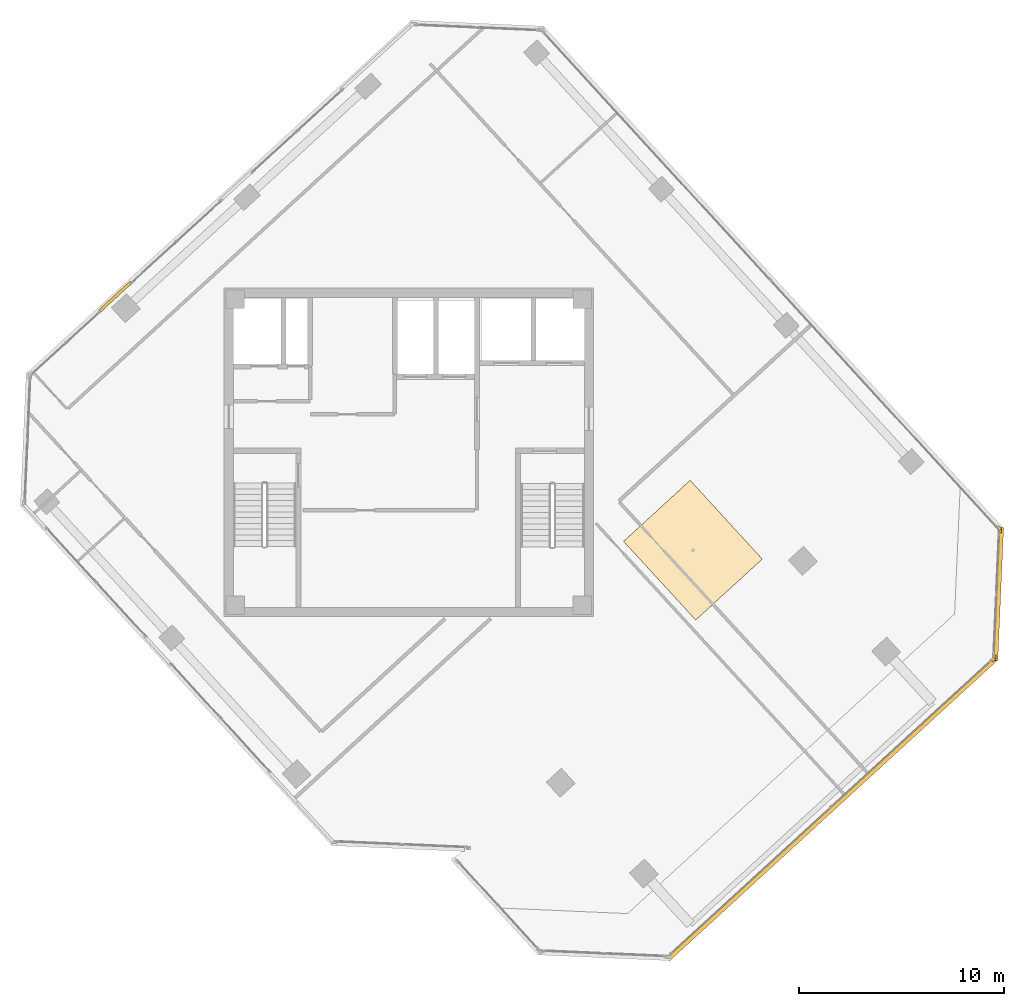
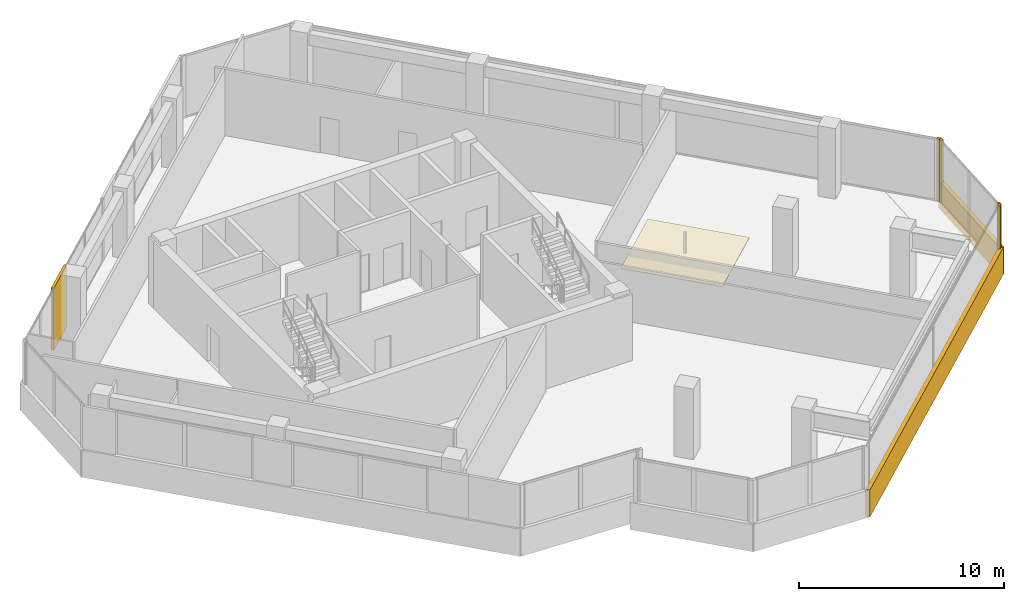
# One storey, part 17 of 18: 8 coverings.
"""IFC4 building model written with IfcOpenShell, lengths in metres."""

from ifc_helpers import new_model, si_unit, direction, frame, origin, origin_2d, place, context, subcontext, project, spatial, polyline, rectangle, outline, extrude, source, transform, mapped, material, layer, layer_set, type_object, element, save


model = new_model("IFC4")

# Units and contexts
model_context = context("Model", 3, precision=1e-05, world=origin(), true_north=direction((0.0, 1.0)))
body_context = subcontext(model_context, "Body", "Model", "MODEL_VIEW")
ifc_project = project(units=[si_unit("LENGTHUNIT", "METRE"), si_unit("AREAUNIT", "SQUARE_METRE"), si_unit("VOLUMEUNIT", "CUBIC_METRE"), si_unit("PLANEANGLEUNIT", "RADIAN"), si_unit("MASSUNIT", "GRAM", prefix="KILO")], contexts=[model_context])

# Site, building, storey
site_placement = place(None, origin())
site = spatial("IfcSite", under=ifc_project, at=site_placement, CompositionType="ELEMENT")
building_placement = place(site_placement, origin())
building = spatial("IfcBuilding", under=site, at=building_placement, Name="Torre Montelarca", CompositionType="ELEMENT")
storey_placement = place(building_placement, frame((0.0, 0.0, 258.39990234375)))
storey = spatial("IfcBuildingStorey", under=building, at=storey_placement, Name="L58", CompositionType="ELEMENT", Elevation=258.39990234375)

# Coverings
ifc_material_1 = material(Name="Perforated acoustic mineral fibre board", Category="gypsum")
ifc_layer_1 = layer(ifc_material_1, 0.0400390625, Name="Perforated acoustic mineral fibre board", Category="gypsum")
ifc_layer_set_1 = layer_set([ifc_layer_1], Name="Perforated acoustic mineral fibre board")
covering_type_1 = type_object("IfcCoveringType", Name="COV-CEIL-AC1", PredefinedType="CEILING", material=ifc_layer_set_1)
covering_1_placement = place(storey_placement, frame((0.0, 0.0, 2.72021484375)))
element("IfcCovering", 1, at=covering_1_placement, inside=storey, type_object=covering_type_1, Name="L58 Acoustic Suspended Ceiling 01", PredefinedType="CEILING", context=body_context, shape_type="SweptSolid", body=[
    extrude(outline(polyline([(28.459228515625, 27.661865234375), (31.97216796875, 23.827880859375), (35.21630859375, 26.800537109375), (31.703125, 30.634521484375), (28.459228515625, 27.661865234375)])), origin(), (0.0, 0.0, 1.0), 0.039794921875),
])
ifc_material_2 = material(Name="Bush-hammered warm white precast concrete C45/55", Category="concrete")
ifc_layer_2 = layer(ifc_material_2, 0.139892578125, Name="Bush-hammered warm white precast concrete C45/55", Category="concrete")
ifc_layer_set_2 = layer_set([ifc_layer_2], Name="Bush-hammered warm white precast concrete C45/55")
covering_type_2 = type_object("IfcCoveringType", Name="COV-TRAY-CLAD", PredefinedType="CLADDING", material=ifc_layer_set_2)
shared_shape_1 = source(origin(), body_context, "Body", "SweptSolid", [
    extrude(rectangle(XDim=6.48388671875, YDim=0.219970703125, at=origin_2d()), origin(), (0.0, 0.0, 1.0), 1.6201171875),
])
covering_2_placement = place(storey_placement, frame((46.71923828125, 25.09521484375, -0.449951171875), z_axis=(0.0, 0.0, 1.0), x_axis=(0.043621131033, 0.99904814545, 0.0)))
element("IfcCovering", 2, at=covering_2_placement, inside=storey, type_object=covering_type_2, Name="L58 Architectural White Spandrel Tray Band TRYBOT-07", PredefinedType="CLADDING", context=body_context, shape_type="MappedRepresentation", body=[
    mapped(shared_shape_1, transform((0.0, 0.0, 0.0), scale=1.0)),
])
shared_shape_2 = source(origin(), body_context, "Body", "SweptSolid", [
    extrude(rectangle(XDim=0.199951171875, YDim=0.139892578125, at=origin_2d()), origin(), (0.0, 0.0, 1.0), 3.719970703125),
])
for number, where, z_axis, x_axis, name in (
    (3, (46.46435546875, 21.90283203125, 0.0), (0.0, 0.0, 1.0), (0.73727733681, 0.675590207616, 0.0), "L58 Architectural Column Pier Cladding E06-2"),
    (4, (46.525634765625, 22.034423828125, 0.0), (0.0, 0.0, 1.0), (0.043628105704, 0.999047840893, 0.0), "L58 Architectural Column Pier Cladding E07-1"),
    (5, (46.793212890625, 28.160888671875, 0.0), (0.0, 0.0, 1.0), (0.043628105704, 0.999047840893, 0.0), "L58 Architectural Column Pier Cladding E07-2"),
    (6, (46.743408203125, 28.29736328125, 0.0), (0.0, 0.0, 1.0), (-0.675588920823, 0.737278515936, 0.0), "L58 Architectural Column Pier Cladding E08-1"),
):
    element("IfcCovering", number, at=place(storey_placement, frame(where, z_axis=z_axis, x_axis=x_axis)), inside=storey, type_object=covering_type_2, Name=name, PredefinedType="CLADDING", context=body_context, shape_type="MappedRepresentation", body=[
        mapped(shared_shape_2, transform((0.0, 0.0, 0.0), scale=1.0)),
    ])
shared_shape_3 = source(origin(), body_context, "Body", "SweptSolid", [
    extrude(rectangle(XDim=2.06005859375, YDim=0.139892578125, at=origin_2d()), origin(), (0.0, 0.0, 1.0), 3.719970703125),
])
covering_3_placement = place(storey_placement, frame((3.70458984375, 39.57861328125, 0.0), z_axis=(0.0, 0.0, 1.0), x_axis=(-0.737276157682, -0.675591494406, 0.0)))
element("IfcCovering", 7, at=covering_3_placement, inside=storey, type_object=covering_type_2, Name="L58 Architectural Column Pier Cladding E10-4", PredefinedType="CLADDING", context=body_context, shape_type="MappedRepresentation", body=[
    mapped(shared_shape_3, transform((0.0, 0.0, 0.0), scale=1.0)),
])
shared_shape_4 = source(origin(), body_context, "Body", "SweptSolid", [
    extrude(rectangle(XDim=21.719970703125, YDim=0.219970703125, at=origin_2d()), origin(), (0.0, 0.0, 1.0), 1.6201171875),
])
covering_4_placement = place(storey_placement, frame((38.627685546875, 14.640625, -0.449951171875), z_axis=(0.0, 0.0, 1.0), x_axis=(0.737276157682, 0.675591494406, 0.0)))
element("IfcCovering", 8, at=covering_4_placement, inside=storey, type_object=covering_type_2, Name="L58 Architectural White Spandrel Tray Band TRYBOT-06", PredefinedType="CLADDING", context=body_context, shape_type="MappedRepresentation", body=[
    mapped(shared_shape_4, transform((0.0, 0.0, 0.0), scale=1.0)),
])

save(model, "model.ifc")
